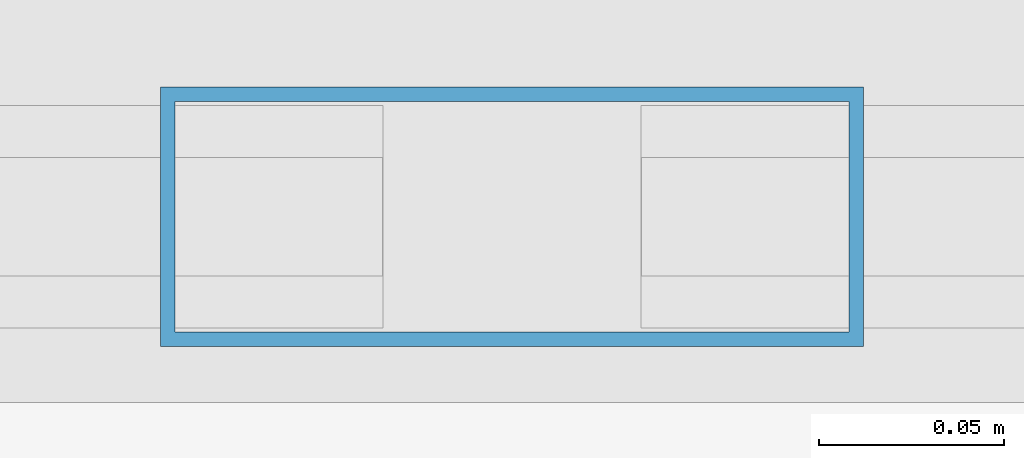
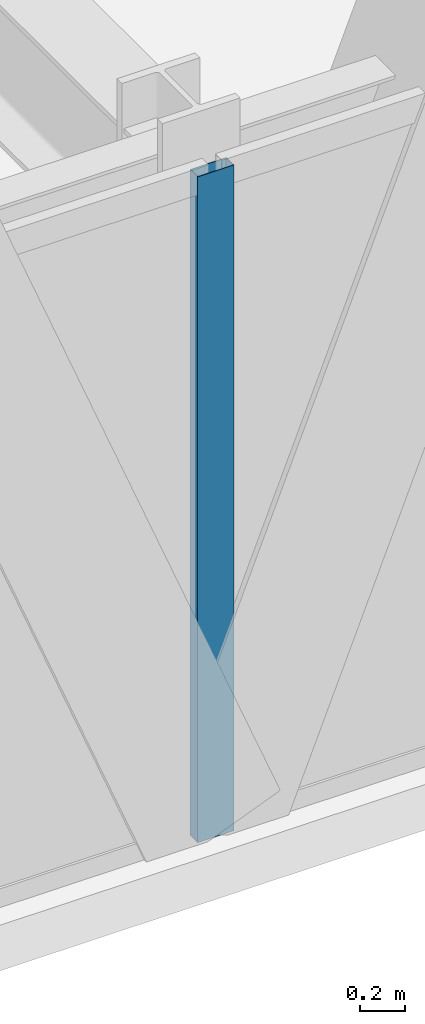
# One storey, part 7 of 32: 1 member, 1 element without a shape of its own.
"""IFC4 building model written with IfcOpenShell, lengths in metres."""

from ifc_helpers import new_model, si_unit, direction, frame, origin, origin_2d, place, context, subcontext, project, spatial, hollow_rectangle, extrude, source, transform, mapped, material, layer, layer_set, material_profile, profile_set, type_object, type_shapes, element, aggregate, save


model = new_model("IFC4")

# Units and contexts
model_context = context("Model", 3, precision=1e-05, world=origin(), true_north=direction((0.0, 1.0)))
body_context = subcontext(model_context, "Body", "Model", "MODEL_VIEW")
ifc_project = project(units=[si_unit("LENGTHUNIT", "METRE"), si_unit("AREAUNIT", "SQUARE_METRE"), si_unit("VOLUMEUNIT", "CUBIC_METRE"), si_unit("PLANEANGLEUNIT", "RADIAN"), si_unit("MASSUNIT", "GRAM", prefix="KILO")], contexts=[model_context])

# Site, building, storey
site_placement = place(None, origin())
site = spatial("IfcSite", under=ifc_project, at=site_placement, CompositionType="ELEMENT")
building_placement = place(site_placement, origin())
building = spatial("IfcBuilding", under=site, at=building_placement, Name="Varnel Quay Broadcast Tower", CompositionType="ELEMENT")
storey_placement = place(building_placement, frame((0.0, 0.0, 58.800048828125)))
storey = spatial("IfcBuildingStorey", under=building, at=storey_placement, Name="L13", CompositionType="ELEMENT", Elevation=58.800048828125)

# Curtain wall, member
ifc_material = material(Name="Anodised Bronze Aluminium 6063-T6", Category="aluminium")
ifc_layer = layer(ifc_material, 0.18994140625, Name="Anodised Bronze Aluminium 6063-T6")
ifc_layer_set = layer_set([ifc_layer], Name="Anodised Bronze Aluminium 6063-T6")
curtain_wall_type = type_object("IfcCurtainWallType", Name="CW_LowerTower", PredefinedType="NOTDEFINED", material=ifc_layer_set)
curtain_wall_placement = place(storey_placement, origin())
curtain_wall = element("IfcCurtainWall", 1, at=curtain_wall_placement, inside=storey, type_object=curtain_wall_type, Name="L13 South Unitised Curtain Wall 2", PredefinedType="NOTDEFINED")
ifc_material_profile = material_profile(ifc_material, hollow_rectangle(XDim=0.070068359375, YDim=0.18994140625, WallThickness=0.00390625, at=origin_2d()), Name="ALU70X190X4")
ifc_profile_set = profile_set([ifc_material_profile], Name="Anodised Bronze Aluminium 6063-T6")
member_type = type_object("IfcMemberType", Name="Mull_CWS-02", PredefinedType="MULLION", material=ifc_profile_set)
shared_shape = source(origin(), body_context, "Body", "SweptSolid", [
    extrude(hollow_rectangle(XDim=0.070068359375, YDim=0.18994140625, WallThickness=0.00390625, at=origin_2d()), origin(), (0.0, 0.0, 1.0), 3.64990234375),
])
type_shapes(member_type, [shared_shape])
member_placement = place(storey_placement, frame((34.0, 1.35009765625, 0.0), z_axis=(0.0, 0.0, 1.0), x_axis=(0.0, 1.0, 0.0)))
member = element("IfcMember", 2, at=member_placement, type_object=member_type, Name="CWS-02 mullion 2", PredefinedType="MULLION", context=body_context, shape_type="MappedRepresentation", body=[
    mapped(shared_shape, transform((0.0, 0.0, 0.0), x_axis=(1.0, 0.0, 0.0), y_axis=(0.0, 1.0, 0.0), z_axis=(0.0, 0.0, 1.0), scale=1.0)),
])
aggregate(curtain_wall, [member])

save(model, "model.ifc")
